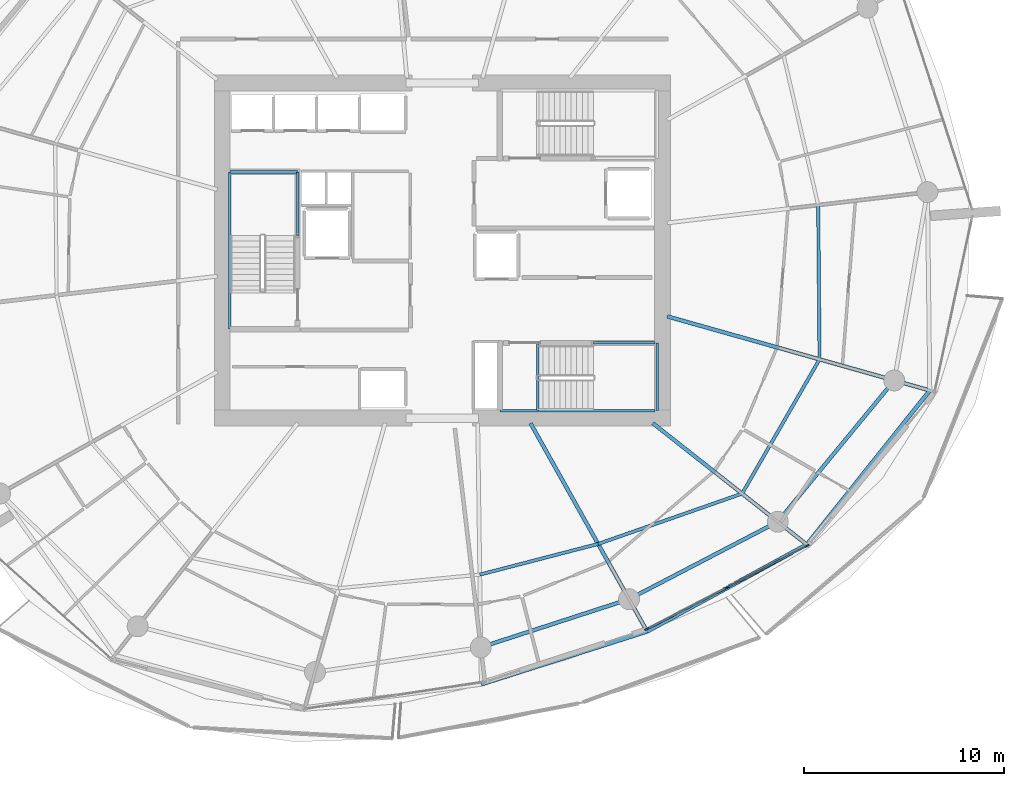
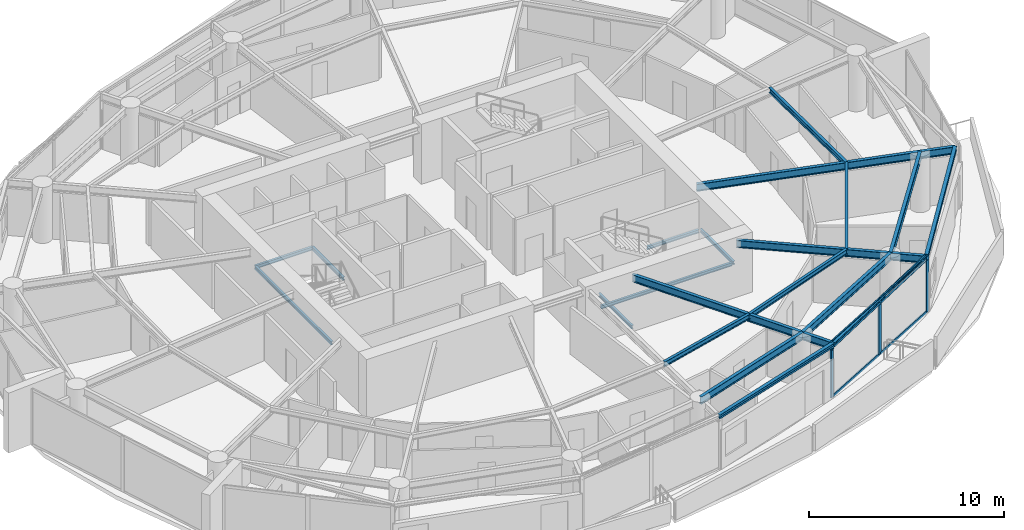
# One storey, part 6 of 20: 20 beams, 7 members, 1 element without a shape of its own.
"""IFC4 building model written with IfcOpenShell, lengths in metres."""

from ifc_helpers import new_model, si_unit, direction, frame, origin, origin_2d, place, context, subcontext, project, spatial, rectangle, i_section, extrude, material, layer, layer_set, material_profile, profile_set, type_object, element, aggregate, save


model = new_model("IFC4")

# Units and contexts
model_context = context("Model", 3, precision=1e-05, world=origin(), true_north=direction((0.0, 1.0)))
body_context = subcontext(model_context, "Body", "Model", "MODEL_VIEW")
ifc_project = project(units=[si_unit("LENGTHUNIT", "METRE"), si_unit("AREAUNIT", "SQUARE_METRE"), si_unit("VOLUMEUNIT", "CUBIC_METRE"), si_unit("PLANEANGLEUNIT", "RADIAN"), si_unit("MASSUNIT", "GRAM", prefix="KILO")], contexts=[model_context])

# Site, building, storey
site_placement = place(None, origin())
site = spatial("IfcSite", under=ifc_project, at=site_placement, CompositionType="ELEMENT")
building_placement = place(site_placement, origin())
building = spatial("IfcBuilding", under=site, at=building_placement, Name="Kazma Halo Residences", CompositionType="ELEMENT")
storey_placement = place(building_placement, frame((0.0, 0.0, 161.550048828125)))
storey = spatial("IfcBuildingStorey", under=building, at=storey_placement, Name="L40", CompositionType="ELEMENT", Elevation=161.550048828125)

# Beams
ifc_material_1 = material(Name="Steel S355", Category="steel")
ifc_material_profile_1 = material_profile(ifc_material_1, i_section(OverallWidth=0.201904296875, OverallDepth=0.2470703125, WebThickness=0.00732421875, FlangeThickness=0.010986328125, FilletRadius=0.011962890625, at=origin_2d()), Name="W250x49.1")
ifc_profile_set_1 = profile_set([ifc_material_profile_1], Name="Steel S355")
beam_type_1 = type_object("IfcBeamType", Name="BM-BAL-CANT", PredefinedType="BEAM", material=ifc_profile_set_1)
beam_1_placement = place(storey_placement, frame((50.37841796875, 20.269287109375, 3.37646484375), z_axis=(0.952724066304, 0.303836886315, 0.0), x_axis=(-0.303836886315, 0.952724066304, 0.0)))
element("IfcBeam", 1, at=beam_1_placement, inside=storey, type_object=beam_type_1, Name="L40 wave-balcony tie beam 12", PredefinedType="BEAM", context=body_context, shape_type="SweptSolid", body=[
    extrude(i_section(OverallWidth=0.201904296875, OverallDepth=0.2470703125, WebThickness=0.00732421875, FlangeThickness=0.010986328125, FilletRadius=0.011962890625, at=origin_2d()), origin(), (0.0, 0.0, 1.0), 8.719970703125),
])
beam_2_placement = place(storey_placement, frame((58.68603515625, 22.918701171875, 3.37646484375), z_axis=(0.878572913315, 0.477608245312, 0.0), x_axis=(-0.477608245312, 0.878572913315, 0.0)))
element("IfcBeam", 2, at=beam_2_placement, inside=storey, type_object=beam_type_1, Name="L40 wave-balcony tie beam 13", PredefinedType="BEAM", context=body_context, shape_type="SweptSolid", body=[
    extrude(i_section(OverallWidth=0.201904296875, OverallDepth=0.2470703125, WebThickness=0.00732421875, FlangeThickness=0.010986328125, FilletRadius=0.011962890625, at=origin_2d()), origin(), (0.0, 0.0, 1.0), 9.107177734375),
])
beam_3_placement = place(storey_placement, frame((66.687255859375, 27.268310546875, 3.37646484375), z_axis=(0.623742400336, 0.781629975131, 0.0), x_axis=(-0.781629975131, 0.623742400336, 0.0)))
element("IfcBeam", 3, at=beam_3_placement, inside=storey, type_object=beam_type_1, Name="L40 wave-balcony tie beam 14", PredefinedType="BEAM", context=body_context, shape_type="SweptSolid", body=[
    extrude(i_section(OverallWidth=0.201904296875, OverallDepth=0.2470703125, WebThickness=0.00732421875, FlangeThickness=0.010986328125, FilletRadius=0.011962890625, at=origin_2d()), origin(), (0.0, 0.0, 1.0), 9.880859375),
])
ifc_material_profile_2 = material_profile(ifc_material_1, i_section(OverallWidth=0.18994140625, OverallDepth=0.45703125, WebThickness=0.009033203125, FlangeThickness=0.014404296875, FilletRadius=0.01611328125, at=origin_2d()), Name="W460x74")
ifc_profile_set_2 = profile_set([ifc_material_profile_2], Name="Steel S355")
beam_type_2 = type_object("IfcBeamType", Name="BM-RAD-W460", PredefinedType="BEAM", material=ifc_profile_set_2)
beam_4_placement = place(storey_placement, frame((52.84423828125, 33.35009765625, 3.271484375), z_axis=(0.488617048735, -0.872498355119, 0.0), x_axis=(0.872498355119, 0.488617048735, 0.0)))
element("IfcBeam", 4, at=beam_4_placement, inside=storey, type_object=beam_type_2, Name="L40 radial floor beam 13", PredefinedType="BEAM", context=body_context, shape_type="SweptSolid", body=[
    extrude(i_section(OverallWidth=0.18994140625, OverallDepth=0.45703125, WebThickness=0.009033203125, FlangeThickness=0.014404296875, FilletRadius=0.01611328125, at=origin_2d()), origin(), (0.0, 0.0, 1.0), 11.955810546875),
])
beam_5_placement = place(storey_placement, frame((58.972412109375, 33.35009765625, 3.271484375), z_axis=(0.785322142498, -0.619087338347, 0.0), x_axis=(0.619087338347, 0.785322142498, 0.0)))
element("IfcBeam", 5, at=beam_5_placement, inside=storey, type_object=beam_type_2, Name="L40 radial floor beam 14", PredefinedType="BEAM", context=body_context, shape_type="SweptSolid", body=[
    extrude(i_section(OverallWidth=0.18994140625, OverallDepth=0.45703125, WebThickness=0.009033203125, FlangeThickness=0.014404296875, FilletRadius=0.01611328125, at=origin_2d()), origin(), (0.0, 0.0, 1.0), 9.82373046875),
])
beam_6_placement = place(storey_placement, frame((59.699951171875, 38.7001953125, 3.271484375), z_axis=(0.962456259321, -0.271436823024, 0.0), x_axis=(0.271436823024, 0.962456259321, 0.0)))
element("IfcBeam", 6, at=beam_6_placement, inside=storey, type_object=beam_type_2, Name="L40 radial floor beam 15", PredefinedType="BEAM", context=body_context, shape_type="SweptSolid", body=[
    extrude(i_section(OverallWidth=0.18994140625, OverallDepth=0.45703125, WebThickness=0.009033203125, FlangeThickness=0.014404296875, FilletRadius=0.01611328125, at=origin_2d()), origin(), (0.0, 0.0, 1.0), 13.663330078125),
])
ifc_material_profile_3 = material_profile(ifc_material_1, i_section(OverallWidth=0.1650390625, OverallDepth=0.31005859375, WebThickness=0.005859375, FlangeThickness=0.009765625, FilletRadius=0.011962890625, at=origin_2d()), Name="W310x38.7")
ifc_profile_set_3 = profile_set([ifc_material_profile_3], Name="Steel S355")
beam_type_3 = type_object("IfcBeamType", Name="BM-SEC-W310B", PredefinedType="JOIST", material=ifc_profile_set_3)
beam_7_placement = place(storey_placement, frame((50.303466796875, 25.76318359375, 3.344970703125), z_axis=(0.968017337658, 0.250883307524, 0.0), x_axis=(-0.250883307524, 0.968017337658, 0.0)))
element("IfcBeam", 7, at=beam_7_placement, inside=storey, type_object=beam_type_3, Name="L40 circumferential floor joist 12", PredefinedType="JOIST", context=body_context, shape_type="SweptSolid", body=[
    extrude(i_section(OverallWidth=0.1650390625, OverallDepth=0.31005859375, WebThickness=0.005859375, FlangeThickness=0.009765625, FilletRadius=0.011962890625, at=origin_2d()), origin(), (0.0, 0.0, 1.0), 6.124755859375),
])
beam_8_placement = place(storey_placement, frame((56.232421875, 27.2998046875, 3.344970703125), z_axis=(0.943956421223, 0.330070105935, 0.0), x_axis=(-0.330070105935, 0.943956421223, 0.0)))
element("IfcBeam", 8, at=beam_8_placement, inside=storey, type_object=beam_type_3, Name="L40 circumferential floor joist 13", PredefinedType="JOIST", context=body_context, shape_type="SweptSolid", body=[
    extrude(i_section(OverallWidth=0.1650390625, OverallDepth=0.31005859375, WebThickness=0.005859375, FlangeThickness=0.009765625, FilletRadius=0.011962890625, at=origin_2d()), origin(), (0.0, 0.0, 1.0), 7.642822265625),
])
beam_9_placement = place(storey_placement, frame((63.447021484375, 29.822509765625, 3.344970703125), z_axis=(0.499666203496, 0.866218035533, 0.0), x_axis=(-0.866218035533, 0.499666203496, 0.0)))
element("IfcBeam", 9, at=beam_9_placement, inside=storey, type_object=beam_type_3, Name="L40 circumferential floor joist 14", PredefinedType="JOIST", context=body_context, shape_type="SweptSolid", body=[
    extrude(i_section(OverallWidth=0.1650390625, OverallDepth=0.31005859375, WebThickness=0.005859375, FlangeThickness=0.009765625, FilletRadius=0.011962890625, at=origin_2d()), origin(), (0.0, 0.0, 1.0), 7.765380859375),
])
beam_10_placement = place(storey_placement, frame((67.3271484375, 36.549072265625, 3.344970703125), z_axis=(-0.008779348348, 0.999961460779, 0.0), x_axis=(-0.999961460779, -0.008779348348, 0.0)))
element("IfcBeam", 10, at=beam_10_placement, inside=storey, type_object=beam_type_3, Name="L40 circumferential floor joist 15", PredefinedType="JOIST", context=body_context, shape_type="SweptSolid", body=[
    extrude(i_section(OverallWidth=0.1650390625, OverallDepth=0.31005859375, WebThickness=0.005859375, FlangeThickness=0.009765625, FilletRadius=0.011962890625, at=origin_2d()), origin(), (0.0, 0.0, 1.0), 7.730712890625),
])
ifc_material_profile_4 = material_profile(ifc_material_1, i_section(OverallWidth=0.18994140625, OverallDepth=0.45703125, WebThickness=0.009033203125, FlangeThickness=0.014404296875, FilletRadius=0.01611328125, at=origin_2d()), Name="W460x74")
ifc_profile_set_4 = profile_set([ifc_material_profile_4], Name="Steel S355")
beam_type_4 = type_object("IfcBeamType", Name="BM-SPN-W460", PredefinedType="BEAM", material=ifc_profile_set_4)
beam_11_placement = place(storey_placement, frame((50.35302734375, 22.118896484375, 3.271484375), z_axis=(0.95105634578, 0.309017519167, 0.0), x_axis=(-0.309017519167, 0.95105634578, 0.0)))
element("IfcBeam", 11, at=beam_11_placement, inside=storey, type_object=beam_type_4, Name="L40 perimeter ring beam 12", PredefinedType="BEAM", context=body_context, shape_type="SweptSolid", body=[
    extrude(i_section(OverallWidth=0.18994140625, OverallDepth=0.45703125, WebThickness=0.009033203125, FlangeThickness=0.014404296875, FilletRadius=0.01611328125, at=origin_2d()), origin(), (0.0, 0.0, 1.0), 7.811279296875),
])
beam_12_placement = place(storey_placement, frame((57.781982421875, 24.53271484375, 3.271484375), z_axis=(0.886943099021, 0.461878706046, 0.0), x_axis=(-0.461878706046, 0.886943099021, 0.0)))
element("IfcBeam", 12, at=beam_12_placement, inside=storey, type_object=beam_type_4, Name="L40 perimeter ring beam 13", PredefinedType="BEAM", context=body_context, shape_type="SweptSolid", body=[
    extrude(i_section(OverallWidth=0.18994140625, OverallDepth=0.45703125, WebThickness=0.009033203125, FlangeThickness=0.014404296875, FilletRadius=0.01611328125, at=origin_2d()), origin(), (0.0, 0.0, 1.0), 8.40234375),
])
beam_13_placement = place(storey_placement, frame((65.234375, 28.41357421875, 3.271484375), z_axis=(0.636018723515, 0.771673624882, 0.0), x_axis=(-0.771673624882, 0.636018723515, 0.0)))
element("IfcBeam", 13, at=beam_13_placement, inside=storey, type_object=beam_type_4, Name="L40 perimeter ring beam 14", PredefinedType="BEAM", context=body_context, shape_type="SweptSolid", body=[
    extrude(i_section(OverallWidth=0.18994140625, OverallDepth=0.45703125, WebThickness=0.009033203125, FlangeThickness=0.014404296875, FilletRadius=0.01611328125, at=origin_2d()), origin(), (0.0, 0.0, 1.0), 9.175048828125),
])
ifc_material_profile_5 = material_profile(ifc_material_1, i_section(OverallWidth=0.133056640625, OverallDepth=0.20703125, WebThickness=0.005859375, FlangeThickness=0.00830078125, FilletRadius=0.010009765625, at=origin_2d()), Name="W200x26.6")
ifc_profile_set_5 = profile_set([ifc_material_profile_5], Name="Steel S355")
beam_type_5 = type_object("IfcBeamType", Name="BM-TRIM-W200", PredefinedType="BEAM", material=ifc_profile_set_5)
beam_14_placement = place(storey_placement, frame((53.199951171875, 34.0, -0.360107421875), z_axis=(0.0, 1.0, 0.0), x_axis=(-1.0, 0.0, 0.0)))
element("IfcBeam", 14, at=beam_14_placement, inside=storey, type_object=beam_type_5, Name="L40 ST-03 floor landing support beam", PredefinedType="BEAM", context=body_context, shape_type="SweptSolid", body=[
    extrude(i_section(OverallWidth=0.133056640625, OverallDepth=0.20703125, WebThickness=0.005859375, FlangeThickness=0.00830078125, FilletRadius=0.010009765625, at=origin_2d()), origin(), (0.0, 0.0, 1.0), 3.3798828125),
])
beam_15_placement = place(storey_placement, frame((37.780029296875, 38.06005859375, 1.570068359375), z_axis=(0.0, 1.0, 0.0), x_axis=(-1.0, 0.0, 0.0)))
element("IfcBeam", 15, at=beam_15_placement, inside=storey, type_object=beam_type_5, Name="L40 ST-01 landing west wall ledger", PredefinedType="BEAM", context=body_context, shape_type="SweptSolid", body=[
    extrude(i_section(OverallWidth=0.133056640625, OverallDepth=0.20703125, WebThickness=0.005859375, FlangeThickness=0.00830078125, FilletRadius=0.010009765625, at=origin_2d()), origin(), (0.0, 0.0, 1.0), 7.8798828125),
])
beam_16_placement = place(storey_placement, frame((41.179931640625, 42.75, 1.570068359375), z_axis=(0.0, 1.0, 0.0), x_axis=(-1.0, 0.0, 0.0)))
element("IfcBeam", 16, at=beam_16_placement, inside=storey, type_object=beam_type_5, Name="L40 ST-01 landing east wall ledger", PredefinedType="BEAM", context=body_context, shape_type="SweptSolid", body=[
    extrude(i_section(OverallWidth=0.133056640625, OverallDepth=0.20703125, WebThickness=0.005859375, FlangeThickness=0.00830078125, FilletRadius=0.010009765625, at=origin_2d()), origin(), (0.0, 0.0, 1.0), 3.18994140625),
])
beam_17_placement = place(storey_placement, frame((37.780029296875, 45.93994140625, 1.570068359375), z_axis=(1.0, 0.0, 0.0), x_axis=(0.0, 1.0, 0.0)))
element("IfcBeam", 17, at=beam_17_placement, inside=storey, type_object=beam_type_5, Name="L40 ST-01 landing end wall ledger", PredefinedType="BEAM", context=body_context, shape_type="SweptSolid", body=[
    extrude(i_section(OverallWidth=0.133056640625, OverallDepth=0.20703125, WebThickness=0.005859375, FlangeThickness=0.00830078125, FilletRadius=0.010009765625, at=origin_2d()), origin(), (0.0, 0.0, 1.0), 3.39990234375),
])
beam_18_placement = place(storey_placement, frame((51.31005859375, 33.97998046875, 1.570068359375), z_axis=(1.0, 0.0, 0.0), x_axis=(0.0, 1.0, 0.0)))
element("IfcBeam", 18, at=beam_18_placement, inside=storey, type_object=beam_type_5, Name="L40 ST-03 landing south wall ledger", PredefinedType="BEAM", context=body_context, shape_type="SweptSolid", body=[
    extrude(i_section(OverallWidth=0.133056640625, OverallDepth=0.20703125, WebThickness=0.005859375, FlangeThickness=0.00830078125, FilletRadius=0.010009765625, at=origin_2d()), origin(), (0.0, 0.0, 1.0), 7.760009765625),
])
beam_19_placement = place(storey_placement, frame((56.0, 37.3798828125, 1.570068359375), z_axis=(1.0, 0.0, 0.0), x_axis=(0.0, 1.0, 0.0)))
element("IfcBeam", 19, at=beam_19_placement, inside=storey, type_object=beam_type_5, Name="L40 ST-03 landing north wall ledger", PredefinedType="BEAM", context=body_context, shape_type="SweptSolid", body=[
    extrude(i_section(OverallWidth=0.133056640625, OverallDepth=0.20703125, WebThickness=0.005859375, FlangeThickness=0.00830078125, FilletRadius=0.010009765625, at=origin_2d()), origin(), (0.0, 0.0, 1.0), 3.070068359375),
])
beam_20_placement = place(storey_placement, frame((59.18994140625, 33.97998046875, 1.570068359375), z_axis=(0.0, 1.0, 0.0), x_axis=(-1.0, 0.0, 0.0)))
element("IfcBeam", 20, at=beam_20_placement, inside=storey, type_object=beam_type_5, Name="L40 ST-03 landing end wall ledger", PredefinedType="BEAM", context=body_context, shape_type="SweptSolid", body=[
    extrude(i_section(OverallWidth=0.133056640625, OverallDepth=0.20703125, WebThickness=0.005859375, FlangeThickness=0.00830078125, FilletRadius=0.010009765625, at=origin_2d()), origin(), (0.0, 0.0, 1.0), 3.39990234375),
])

# Curtain wall, members
ifc_material_2 = material(Name="Aluminium AW-6063 T6 and Triple-Silver Low-E Glass", Category="aluminium")
ifc_layer = layer(ifc_material_2, 0.219970703125)
ifc_layer_set = layer_set([ifc_layer], Name="Aluminium AW-6063 T6 and Triple-Silver Low-E Glass")
curtain_wall_type = type_object("IfcCurtainWallType", Name="CW-SYS-4", PredefinedType="NOTDEFINED", material=ifc_layer_set)
curtain_wall_placement = place(storey_placement, origin())
curtain_wall = element("IfcCurtainWall", 21, at=curtain_wall_placement, inside=storey, type_object=curtain_wall_type, Name="L40 unitised curtain wall B13", PredefinedType="NOTDEFINED")
ifc_material_3 = material(Name="Aluminium AW-6063 T6", Category="aluminium")
ifc_material_profile_6 = material_profile(ifc_material_3, rectangle(XDim=0.074951171875, YDim=0.219970703125, at=origin_2d()), Name="CWM-75x220")
ifc_profile_set_6 = profile_set([ifc_material_profile_6], Name="Aluminium AW-6063 T6")
member_type_1 = type_object("IfcMemberType", Name="CW-SYS-4-MUL", PredefinedType="MULLION", material=ifc_profile_set_6)
member_1_placement = place(storey_placement, frame((58.66552734375, 23.0322265625, 0.0), z_axis=(0.0, 0.0, 1.0), x_axis=(-0.460837484552, 0.887484542306, 0.0)))
member_1 = element("IfcMember", 22, at=member_1_placement, type_object=member_type_1, Name="CWS-4 mullion 1", PredefinedType="MULLION", context=body_context, shape_type="SweptSolid", body=[
    extrude(rectangle(XDim=0.074951171875, YDim=0.219970703125, at=origin_2d()), origin(), (0.0, 0.0, 1.0), 3.5),
])
member_2_placement = place(storey_placement, frame((62.686767578125, 25.120361328125, 0.0), z_axis=(0.0, 0.0, 1.0), x_axis=(-0.460837484552, 0.887484542306, 0.0)))
member_2 = element("IfcMember", 23, at=member_2_placement, type_object=member_type_1, Name="CWS-4 mullion 2", PredefinedType="MULLION", context=body_context, shape_type="SweptSolid", body=[
    extrude(rectangle(XDim=0.074951171875, YDim=0.219970703125, at=origin_2d()), origin(), (0.0, 0.0, 1.0), 3.5),
])
member_3_placement = place(storey_placement, frame((66.7080078125, 27.208251953125, 0.0), z_axis=(0.0, 0.0, 1.0), x_axis=(-0.460837484552, 0.887484542306, 0.0)))
member_3 = element("IfcMember", 24, at=member_3_placement, type_object=member_type_1, Name="CWS-4 mullion 3", PredefinedType="MULLION", context=body_context, shape_type="SweptSolid", body=[
    extrude(rectangle(XDim=0.074951171875, YDim=0.219970703125, at=origin_2d()), origin(), (0.0, 0.0, 1.0), 3.5),
])
ifc_material_profile_7 = material_profile(ifc_material_3, rectangle(XDim=0.074951171875, YDim=0.1650390625, at=origin_2d()), Name="CWT-75x165")
ifc_profile_set_7 = profile_set([ifc_material_profile_7], Name="Aluminium AW-6063 T6")
member_type_2 = type_object("IfcMemberType", Name="CW-SYS-4-TRN", PredefinedType="USERDEFINED", material=ifc_profile_set_7)
member_4_placement = place(storey_placement, frame((58.69873046875, 23.049560546875, 0.037353515625), z_axis=(0.887484872803, 0.460836848077, 0.0), x_axis=(-0.460836848077, 0.887484872803, 0.0)))
member_4 = element("IfcMember", 25, at=member_4_placement, type_object=member_type_2, Name="CWS-4 transom 1.1", ObjectType="TRANSOM", PredefinedType="USERDEFINED", context=body_context, shape_type="SweptSolid", body=[
    extrude(rectangle(XDim=0.074951171875, YDim=0.1650390625, at=origin_2d()), origin(), (0.0, 0.0, 1.0), 4.4560546875),
])
member_5_placement = place(storey_placement, frame((58.69873046875, 23.049560546875, 3.46240234375), z_axis=(0.887484872803, 0.460836848077, 0.0), x_axis=(-0.460836848077, 0.887484872803, 0.0)))
member_5 = element("IfcMember", 26, at=member_5_placement, type_object=member_type_2, Name="CWS-4 transom 1.2", ObjectType="TRANSOM", PredefinedType="USERDEFINED", context=body_context, shape_type="SweptSolid", body=[
    extrude(rectangle(XDim=0.074951171875, YDim=0.1650390625, at=origin_2d()), origin(), (0.0, 0.0, 1.0), 4.4560546875),
])
member_6_placement = place(storey_placement, frame((62.719970703125, 25.137451171875, 0.037353515625), z_axis=(0.887484872803, 0.460836848077, 0.0), x_axis=(-0.460836848077, 0.887484872803, 0.0)))
member_6 = element("IfcMember", 27, at=member_6_placement, type_object=member_type_2, Name="CWS-4 transom 2.1", ObjectType="TRANSOM", PredefinedType="USERDEFINED", context=body_context, shape_type="SweptSolid", body=[
    extrude(rectangle(XDim=0.074951171875, YDim=0.1650390625, at=origin_2d()), origin(), (0.0, 0.0, 1.0), 4.4560546875),
])
member_7_placement = place(storey_placement, frame((62.719970703125, 25.137451171875, 3.46240234375), z_axis=(0.887484872803, 0.460836848077, 0.0), x_axis=(-0.460836848077, 0.887484872803, 0.0)))
member_7 = element("IfcMember", 28, at=member_7_placement, type_object=member_type_2, Name="CWS-4 transom 2.2", ObjectType="TRANSOM", PredefinedType="USERDEFINED", context=body_context, shape_type="SweptSolid", body=[
    extrude(rectangle(XDim=0.074951171875, YDim=0.1650390625, at=origin_2d()), origin(), (0.0, 0.0, 1.0), 4.4560546875),
])
aggregate(curtain_wall, [member_1, member_2, member_3, member_4, member_5, member_6, member_7])

save(model, "model.ifc")
